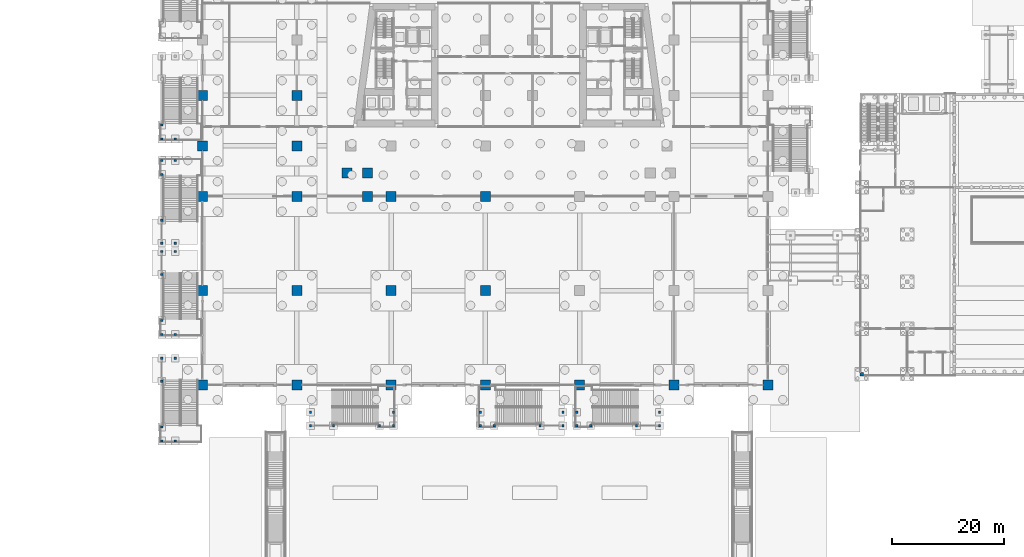
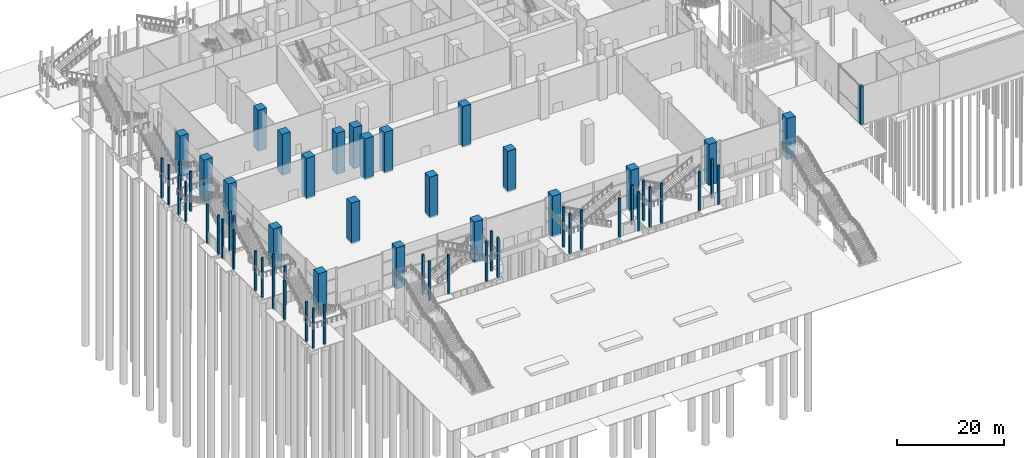
# One storey, part 6 of 72: 62 columns.
"""IFC4 building model written with IfcOpenShell, lengths in metres."""

from ifc_helpers import new_model, si_unit, direction, frame, origin, origin_2d, place, context, subcontext, project, spatial, rectangle, extrude, material, material_profile, profile_set, type_object, element, save


model = new_model("IFC4")

# Units and contexts
model_context = context("Model", 3, precision=1e-05, world=origin(), true_north=direction((0.0, 1.0)))
body_context = subcontext(model_context, "Body", "Model", "MODEL_VIEW")
ifc_project = project(units=[si_unit("LENGTHUNIT", "METRE"), si_unit("AREAUNIT", "SQUARE_METRE"), si_unit("VOLUMEUNIT", "CUBIC_METRE"), si_unit("PLANEANGLEUNIT", "RADIAN"), si_unit("MASSUNIT", "GRAM", prefix="KILO")], contexts=[model_context])

# Site, building, storey
site_placement = place(None, origin())
site = spatial("IfcSite", under=ifc_project, at=site_placement, CompositionType="ELEMENT")
building_placement = place(site_placement, origin())
building = spatial("IfcBuilding", under=site, at=building_placement, Name="Candeia Pilgrim Tower and Theatre", CompositionType="ELEMENT")
storey_placement = place(building_placement, origin())
storey = spatial("IfcBuildingStorey", under=building, at=storey_placement, Name="L00", CompositionType="ELEMENT", Elevation=0.0)

# Columns
ifc_material_1 = material(Name="Concrete C40/50", Category="concrete")
ifc_material_profile_1 = material_profile(ifc_material_1, rectangle(XDim=0.39990234375, YDim=0.39990234375, at=origin_2d()))
ifc_profile_set_1 = profile_set([ifc_material_profile_1], Name="Concrete C40/50")
column_type_1 = type_object("IfcColumnType", Name="Escape stair column RC 400x400", PredefinedType="COLUMN", material=ifc_profile_set_1)
for number, where, z_axis, x_axis, name in (
    (1, (78.050048828125, 57.10009765625, -0.199951171875), (0.0, 0.0, 1.0), (1.0, 0.0, 0.0), "External escape stair ES8 column N1.1"),
    (2, (82.14990234375, 57.10009765625, -0.199951171875), (0.0, 0.0, 1.0), (1.0, 0.0, 0.0), "External escape stair ES8 column N2.1"),
    (3, (78.050048828125, 59.52490234375, -0.199951171875), (0.0, 0.0, 1.0), (1.0, 0.0, 0.0), "External escape stair ES8 column N3.1"),
):
    element("IfcColumn", number, at=place(storey_placement, frame(where, z_axis=z_axis, x_axis=x_axis)), inside=storey, type_object=column_type_1, Name=name, PredefinedType="COLUMN", context=body_context, shape_type="SweptSolid", body=[
        extrude(rectangle(XDim=0.39990234375, YDim=0.39990234375, at=origin_2d()), origin(), (0.0, 0.0, 1.0), 9.0),
    ])
for number, where, z_axis, x_axis, name in (
    (4, (90.31005859375, 57.10009765625, -0.199951171875), (0.0, 0.0, 1.0), (1.0, 0.0, 0.0), "External escape stair ES8 column F1.1"),
    (5, (92.81005859375, 57.10009765625, -0.199951171875), (0.0, 0.0, 1.0), (1.0, 0.0, 0.0), "External escape stair ES8 column F2.1"),
    (6, (92.81005859375, 59.52490234375, -0.199951171875), (0.0, 0.0, 1.0), (1.0, 0.0, 0.0), "External escape stair ES8 column F3.1"),
):
    element("IfcColumn", number, at=place(storey_placement, frame(where, z_axis=z_axis, x_axis=x_axis)), inside=storey, type_object=column_type_1, Name=name, PredefinedType="COLUMN", context=body_context, shape_type="SweptSolid", body=[
        extrude(rectangle(XDim=0.39990234375, YDim=0.39990234375, at=origin_2d()), origin(), (0.0, 0.0, 1.0), 9.199951171875),
    ])
for number, where, z_axis, x_axis, name in (
    (7, (123.050048828125, 57.10009765625, -0.199951171875), (0.0, 0.0, 1.0), (1.0, 0.0, 0.0), "External escape stair ES9 column N1.1"),
    (8, (118.949951171875, 57.10009765625, -0.199951171875), (0.0, 0.0, 1.0), (1.0, 0.0, 0.0), "External escape stair ES9 column N2.1"),
    (9, (123.050048828125, 59.52490234375, -0.199951171875), (0.0, 0.0, 1.0), (1.0, 0.0, 0.0), "External escape stair ES9 column N3.1"),
):
    element("IfcColumn", number, at=place(storey_placement, frame(where, z_axis=z_axis, x_axis=x_axis)), inside=storey, type_object=column_type_1, Name=name, PredefinedType="COLUMN", context=body_context, shape_type="SweptSolid", body=[
        extrude(rectangle(XDim=0.39990234375, YDim=0.39990234375, at=origin_2d()), origin(), (0.0, 0.0, 1.0), 9.0),
    ])
for number, where, z_axis, x_axis, name in (
    (10, (110.7900390625, 57.10009765625, -0.199951171875), (0.0, 0.0, 1.0), (1.0, 0.0, 0.0), "External escape stair ES9 column F1.1"),
    (11, (108.2900390625, 57.10009765625, -0.199951171875), (0.0, 0.0, 1.0), (1.0, 0.0, 0.0), "External escape stair ES9 column F2.1"),
    (12, (108.2900390625, 59.52490234375, -0.199951171875), (0.0, 0.0, 1.0), (1.0, 0.0, 0.0), "External escape stair ES9 column F3.1"),
):
    element("IfcColumn", number, at=place(storey_placement, frame(where, z_axis=z_axis, x_axis=x_axis)), inside=storey, type_object=column_type_1, Name=name, PredefinedType="COLUMN", context=body_context, shape_type="SweptSolid", body=[
        extrude(rectangle(XDim=0.39990234375, YDim=0.39990234375, at=origin_2d()), origin(), (0.0, 0.0, 1.0), 9.199951171875),
    ])
for number, where, z_axis, x_axis, name in (
    (13, (51.5, 69.14990234375, -0.199951171875), (0.0, 0.0, 1.0), (1.0, 0.0, 0.0), "External escape stair ES10 column N1.1"),
    (14, (51.5, 65.050048828125, -0.199951171875), (0.0, 0.0, 1.0), (1.0, 0.0, 0.0), "External escape stair ES10 column N2.1"),
    (15, (53.925048828125, 69.14990234375, -0.199951171875), (0.0, 0.0, 1.0), (1.0, 0.0, 0.0), "External escape stair ES10 column N3.1"),
):
    element("IfcColumn", number, at=place(storey_placement, frame(where, z_axis=z_axis, x_axis=x_axis)), inside=storey, type_object=column_type_1, Name=name, PredefinedType="COLUMN", context=body_context, shape_type="SweptSolid", body=[
        extrude(rectangle(XDim=0.39990234375, YDim=0.39990234375, at=origin_2d()), origin(), (0.0, 0.0, 1.0), 9.0),
    ])
for number, where, z_axis, x_axis, name in (
    (16, (51.5, 56.889892578125, -0.199951171875), (0.0, 0.0, 1.0), (1.0, 0.0, 0.0), "External escape stair ES10 column F1.1"),
    (17, (51.5, 54.389892578125, -0.199951171875), (0.0, 0.0, 1.0), (1.0, 0.0, 0.0), "External escape stair ES10 column F2.1"),
    (18, (53.925048828125, 54.389892578125, -0.199951171875), (0.0, 0.0, 1.0), (1.0, 0.0, 0.0), "External escape stair ES10 column F3.1"),
):
    element("IfcColumn", number, at=place(storey_placement, frame(where, z_axis=z_axis, x_axis=x_axis)), inside=storey, type_object=column_type_1, Name=name, PredefinedType="COLUMN", context=body_context, shape_type="SweptSolid", body=[
        extrude(rectangle(XDim=0.39990234375, YDim=0.39990234375, at=origin_2d()), origin(), (0.0, 0.0, 1.0), 9.199951171875),
    ])
for number, where, z_axis, x_axis, name in (
    (19, (51.5, 88.14990234375, -0.199951171875), (0.0, 0.0, 1.0), (1.0, 0.0, 0.0), "External escape stair ES11 column N1.1"),
    (20, (51.5, 84.050048828125, -0.199951171875), (0.0, 0.0, 1.0), (1.0, 0.0, 0.0), "External escape stair ES11 column N2.1"),
    (21, (53.925048828125, 88.14990234375, -0.199951171875), (0.0, 0.0, 1.0), (1.0, 0.0, 0.0), "External escape stair ES11 column N3.1"),
):
    element("IfcColumn", number, at=place(storey_placement, frame(where, z_axis=z_axis, x_axis=x_axis)), inside=storey, type_object=column_type_1, Name=name, PredefinedType="COLUMN", context=body_context, shape_type="SweptSolid", body=[
        extrude(rectangle(XDim=0.39990234375, YDim=0.39990234375, at=origin_2d()), origin(), (0.0, 0.0, 1.0), 9.0),
    ])
for number, where, z_axis, x_axis, name in (
    (22, (51.5, 75.889892578125, -0.199951171875), (0.0, 0.0, 1.0), (1.0, 0.0, 0.0), "External escape stair ES11 column F1.1"),
    (23, (51.5, 73.389892578125, -0.199951171875), (0.0, 0.0, 1.0), (1.0, 0.0, 0.0), "External escape stair ES11 column F2.1"),
    (24, (53.925048828125, 73.389892578125, -0.199951171875), (0.0, 0.0, 1.0), (1.0, 0.0, 0.0), "External escape stair ES11 column F3.1"),
):
    element("IfcColumn", number, at=place(storey_placement, frame(where, z_axis=z_axis, x_axis=x_axis)), inside=storey, type_object=column_type_1, Name=name, PredefinedType="COLUMN", context=body_context, shape_type="SweptSolid", body=[
        extrude(rectangle(XDim=0.39990234375, YDim=0.39990234375, at=origin_2d()), origin(), (0.0, 0.0, 1.0), 9.199951171875),
    ])
for number, where, z_axis, x_axis, name in (
    (25, (51.5, 89.64990234375, -0.199951171875), (0.0, 0.0, 1.0), (1.0, 0.0, 0.0), "External escape stair ES12 column N1.1"),
    (26, (51.5, 93.75, -0.199951171875), (0.0, 0.0, 1.0), (1.0, 0.0, 0.0), "External escape stair ES12 column N2.1"),
    (27, (53.925048828125, 89.64990234375, -0.199951171875), (0.0, 0.0, 1.0), (1.0, 0.0, 0.0), "External escape stair ES12 column N3.1"),
):
    element("IfcColumn", number, at=place(storey_placement, frame(where, z_axis=z_axis, x_axis=x_axis)), inside=storey, type_object=column_type_1, Name=name, PredefinedType="COLUMN", context=body_context, shape_type="SweptSolid", body=[
        extrude(rectangle(XDim=0.39990234375, YDim=0.39990234375, at=origin_2d()), origin(), (0.0, 0.0, 1.0), 9.0),
    ])
for number, where, z_axis, x_axis, name in (
    (28, (51.5, 101.909912109375, -0.199951171875), (0.0, 0.0, 1.0), (1.0, 0.0, 0.0), "External escape stair ES12 column F1.1"),
    (29, (51.5, 104.409912109375, -0.199951171875), (0.0, 0.0, 1.0), (1.0, 0.0, 0.0), "External escape stair ES12 column F2.1"),
    (30, (53.925048828125, 104.409912109375, -0.199951171875), (0.0, 0.0, 1.0), (1.0, 0.0, 0.0), "External escape stair ES12 column F3.1"),
    (31, (51.5, 110.739990234375, -0.199951171875), (0.0, 0.0, 1.0), (1.0, 0.0, 0.0), "External escape stair ES15 column F1.1"),
    (32, (51.5, 108.239990234375, -0.199951171875), (0.0, 0.0, 1.0), (1.0, 0.0, 0.0), "External escape stair ES15 column F2.1"),
    (33, (53.925048828125, 108.239990234375, -0.199951171875), (0.0, 0.0, 1.0), (1.0, 0.0, 0.0), "External escape stair ES15 column F3.1"),
):
    element("IfcColumn", number, at=place(storey_placement, frame(where, z_axis=z_axis, x_axis=x_axis)), inside=storey, type_object=column_type_1, Name=name, PredefinedType="COLUMN", context=body_context, shape_type="SweptSolid", body=[
        extrude(rectangle(XDim=0.39990234375, YDim=0.39990234375, at=origin_2d()), origin(), (0.0, 0.0, 1.0), 9.199951171875),
    ])
for number, where, z_axis, x_axis, name in (
    (34, (140.25, 57.10009765625, -0.199951171875), (0.0, 0.0, 1.0), (1.0, 0.0, 0.0), "External escape stair ES16 column N1.1"),
    (35, (136.14990234375, 57.10009765625, -0.199951171875), (0.0, 0.0, 1.0), (1.0, 0.0, 0.0), "External escape stair ES16 column N2.1"),
    (36, (140.25, 59.52490234375, -0.199951171875), (0.0, 0.0, 1.0), (1.0, 0.0, 0.0), "External escape stair ES16 column N3.1"),
):
    element("IfcColumn", number, at=place(storey_placement, frame(where, z_axis=z_axis, x_axis=x_axis)), inside=storey, type_object=column_type_1, Name=name, PredefinedType="COLUMN", context=body_context, shape_type="SweptSolid", body=[
        extrude(rectangle(XDim=0.39990234375, YDim=0.39990234375, at=origin_2d()), origin(), (0.0, 0.0, 1.0), 9.0),
    ])
for number, where, z_axis, x_axis, name in (
    (37, (127.989990234375, 57.10009765625, -0.199951171875), (0.0, 0.0, 1.0), (1.0, 0.0, 0.0), "External escape stair ES16 column F1.1"),
    (38, (125.489990234375, 57.10009765625, -0.199951171875), (0.0, 0.0, 1.0), (1.0, 0.0, 0.0), "External escape stair ES16 column F2.1"),
    (39, (125.489990234375, 59.52490234375, -0.199951171875), (0.0, 0.0, 1.0), (1.0, 0.0, 0.0), "External escape stair ES16 column F3.1"),
):
    element("IfcColumn", number, at=place(storey_placement, frame(where, z_axis=z_axis, x_axis=x_axis)), inside=storey, type_object=column_type_1, Name=name, PredefinedType="COLUMN", context=body_context, shape_type="SweptSolid", body=[
        extrude(rectangle(XDim=0.39990234375, YDim=0.39990234375, at=origin_2d()), origin(), (0.0, 0.0, 1.0), 9.199951171875),
    ])
ifc_material_2 = material(Name="Concrete C80/95", Category="concrete")
ifc_material_profile_2 = material_profile(ifc_material_2, rectangle(XDim=1.800048828125, YDim=1.800048828125, at=origin_2d()))
ifc_profile_set_2 = profile_set([ifc_material_profile_2], Name="Concrete C80/95")
column_type_2 = type_object("IfcColumnType", Name="RC 1800x1800 C80/95", PredefinedType="COLUMN", material=ifc_profile_set_2)
for number, where, z_axis, x_axis, name in (
    (40, (58.800048828125, 64.39990234375, -0.35009765625), (0.0, 0.0, 1.0), (1.0, 0.0, 0.0), "Column P-0252-0336"),
    (41, (75.60009765625, 64.39990234375, -0.35009765625), (0.0, 0.0, 1.0), (1.0, 0.0, 0.0), "Column P-0084-0336"),
    (42, (92.39990234375, 64.39990234375, -0.35009765625), (0.0, 0.0, 1.0), (1.0, 0.0, 0.0), "Column P+0084-0336"),
    (43, (109.199951171875, 64.39990234375, -0.35009765625), (0.0, 0.0, 1.0), (1.0, 0.0, 0.0), "Column P+0252-0336"),
    (44, (126.0, 64.39990234375, -0.35009765625), (0.0, 0.0, 1.0), (1.0, 0.0, 0.0), "Column P+0420-0336"),
    (45, (142.800048828125, 64.39990234375, -0.35009765625), (0.0, 0.0, 1.0), (1.0, 0.0, 0.0), "Column P+0588-0336"),
    (46, (159.60009765625, 64.39990234375, -0.35009765625), (0.0, 0.0, 1.0), (1.0, 0.0, 0.0), "Column P+0756-0336"),
    (47, (58.800048828125, 81.199951171875, -0.35009765625), (0.0, 0.0, 1.0), (1.0, 0.0, 0.0), "Column P-0252-0168"),
    (48, (75.60009765625, 81.199951171875, -0.35009765625), (0.0, 0.0, 1.0), (1.0, 0.0, 0.0), "Column P-0084-0168"),
    (49, (92.39990234375, 81.199951171875, -0.35009765625), (0.0, 0.0, 1.0), (1.0, 0.0, 0.0), "Column P+0084-0168"),
    (50, (109.199951171875, 81.199951171875, -0.35009765625), (0.0, 0.0, 1.0), (1.0, 0.0, 0.0), "Column P+0252-0168"),
    (51, (58.800048828125, 98.0, -0.35009765625), (0.0, 0.0, 1.0), (1.0, 0.0, 0.0), "Column P-0252+0000"),
    (52, (75.60009765625, 98.0, -0.35009765625), (0.0, 0.0, 1.0), (1.0, 0.0, 0.0), "Column P-0084+0000"),
    (53, (88.199951171875, 98.0, -0.35009765625), (0.0, 0.0, 1.0), (1.0, 0.0, 0.0), "Column P+0042+0000"),
    (54, (92.39990234375, 98.0, -0.35009765625), (0.0, 0.0, 1.0), (1.0, 0.0, 0.0), "Column P+0084+0000"),
    (55, (109.199951171875, 98.0, -0.35009765625), (0.0, 0.0, 1.0), (1.0, 0.0, 0.0), "Column P+0252+0000"),
    (56, (84.5654296875, 102.199951171875, -0.35009765625), (0.0, 0.0, 1.0), (1.0, 0.0, 0.0), "Column P+0006+0042"),
    (57, (88.199951171875, 102.199951171875, -0.35009765625), (0.0, 0.0, 1.0), (1.0, 0.0, 0.0), "Column P+0042+0042"),
    (58, (58.800048828125, 107.0, -0.35009765625), (0.0, 0.0, 1.0), (1.0, 0.0, 0.0), "Column P-0252+0090"),
    (59, (75.60009765625, 107.0, -0.35009765625), (0.0, 0.0, 1.0), (1.0, 0.0, 0.0), "Column P-0084+0090"),
    (60, (58.800048828125, 116.0, -0.35009765625), (0.0, 0.0, 1.0), (1.0, 0.0, 0.0), "Column P-0252+0180"),
    (61, (75.60009765625, 116.0, -0.35009765625), (0.0, 0.0, 1.0), (1.0, 0.0, 0.0), "Column P-0084+0180"),
):
    element("IfcColumn", number, at=place(storey_placement, frame(where, z_axis=z_axis, x_axis=x_axis)), inside=storey, type_object=column_type_2, Name=name, PredefinedType="COLUMN", context=body_context, shape_type="SweptSolid", body=[
        extrude(rectangle(XDim=1.800048828125, YDim=1.800048828125, at=origin_2d()), origin(), (0.0, 0.0, 1.0), 9.35009765625),
    ])
ifc_material_profile_3 = material_profile(ifc_material_1, rectangle(XDim=0.60009765625, YDim=0.60009765625, at=origin_2d()))
ifc_profile_set_3 = profile_set([ifc_material_profile_3], Name="Concrete C40/50")
column_type_3 = type_object("IfcColumnType", Name="Theatre column 600x600", PredefinedType="COLUMN", material=ifc_profile_set_3)
column_placement = place(storey_placement, frame((176.300048828125, 66.300048828125, 0.0), z_axis=(0.0, 0.0, 1.0), x_axis=(1.0, 0.0, 0.0)))
element("IfcColumn", 62, at=column_placement, inside=storey, type_object=column_type_3, Name="Column TC-A1 L00", PredefinedType="COLUMN", context=body_context, shape_type="SweptSolid", body=[
    extrude(rectangle(XDim=0.60009765625, YDim=0.60009765625, at=origin_2d()), origin(), (0.0, 0.0, 1.0), 8.699951171875),
])

save(model, "model.ifc")
